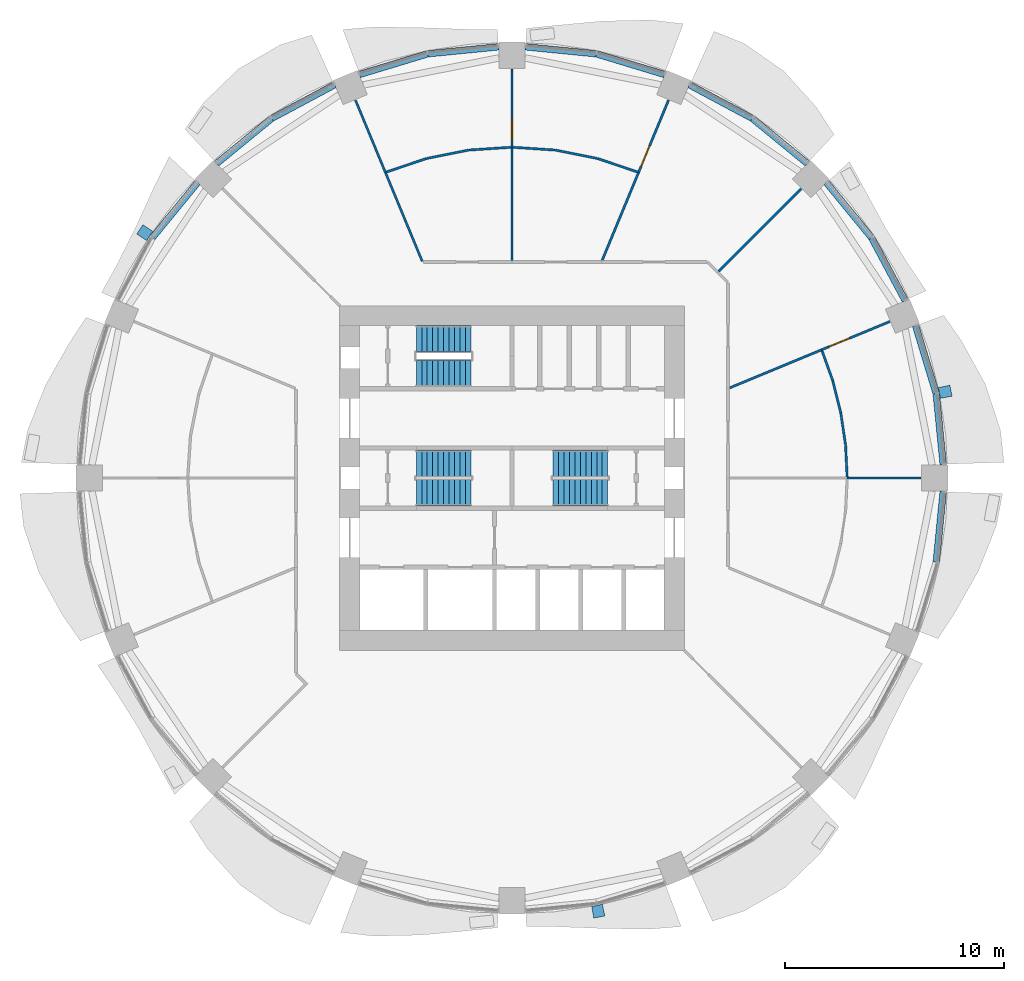
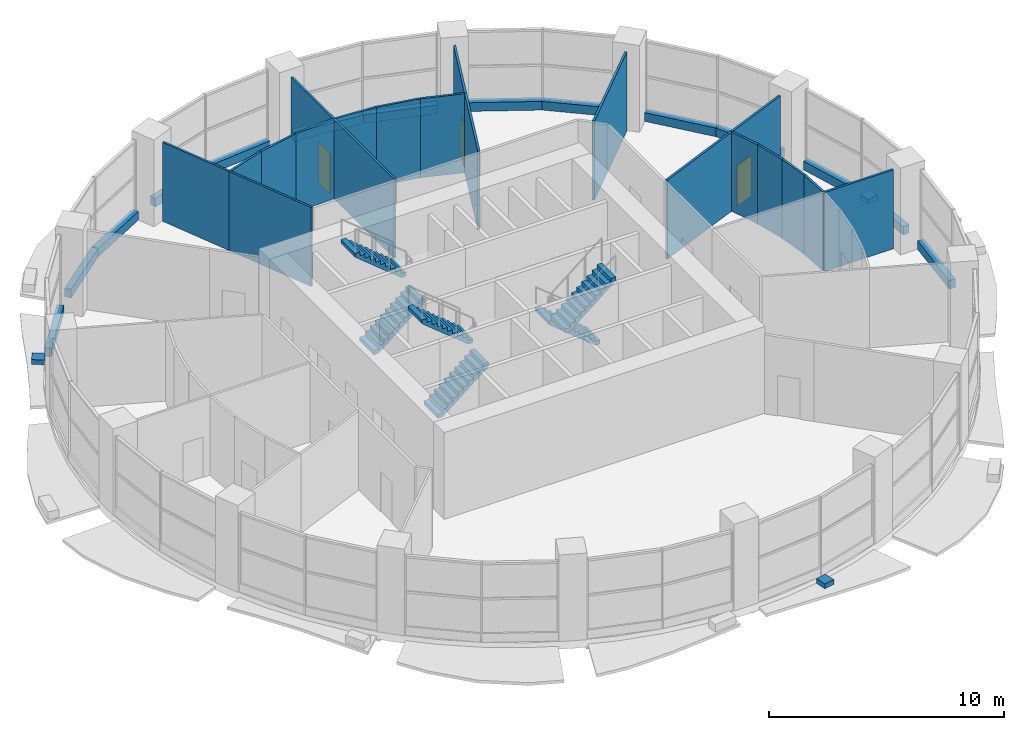
# One storey, part 10 of 14: 34 walls, 6 stair flights, 3 discrete accessories, 3 doors, 3 openings, 3 elements without a shape of their own.
"""IFC4 building model written with IfcOpenShell, lengths in metres."""

from ifc_helpers import new_model, si_unit, direction, frame, frame_2d, origin, place, context, subcontext, project, spatial, polyline, rectangle, outline, extrude, material, layer, layer_set, type_object, element, fill, aggregate, save


model = new_model("IFC4")

# Units and contexts
model_context = context("Model", 3, precision=1e-05, world=origin(), true_north=direction((0.0, 1.0)))
body_context = subcontext(model_context, "Body", "Model", "MODEL_VIEW")
ifc_project = project(units=[si_unit("LENGTHUNIT", "METRE"), si_unit("AREAUNIT", "SQUARE_METRE"), si_unit("VOLUMEUNIT", "CUBIC_METRE"), si_unit("PLANEANGLEUNIT", "RADIAN"), si_unit("MASSUNIT", "GRAM", prefix="KILO")], contexts=[model_context])

# Site, building, storey
site_placement = place(None, origin())
site = spatial("IfcSite", under=ifc_project, at=site_placement, CompositionType="ELEMENT")
building_placement = place(site_placement, origin())
building = spatial("IfcBuilding", under=site, at=building_placement, Name="Polderwave Tower", CompositionType="ELEMENT")
storey_placement = place(building_placement, frame((0.0, 0.0, 9.89990234375)))
storey = spatial("IfcBuildingStorey", under=building, at=storey_placement, Name="L02", CompositionType="ELEMENT", Elevation=9.89990234375)

# Walls
ifc_material_1 = material(Name="Concrete C50/60 (board-marked)", Category="concrete")
ifc_layer_1 = layer(ifc_material_1, 0.300048828125)
ifc_layer_set_1 = layer_set([ifc_layer_1], Name="Concrete spandrel upstand C50/60")
wall_type_1 = type_object("IfcWallType", Name="Concrete spandrel upstand C50/60", PredefinedType="SOLIDWALL", material=ifc_layer_set_1)
wall_1_placement = place(storey_placement, frame((19.70947265625, 0.61279296875, 0.0), z_axis=(0.0, 0.0, 1.0), x_axis=(-0.097961566391, 0.995190198661, 0.0)))
element("IfcWall", 1, at=wall_1_placement, inside=storey, type_object=wall_type_1, Name="Spandrel L02 1a", PredefinedType="SOLIDWALL", context=body_context, shape_type="SweptSolid", body=[
    extrude(rectangle(XDim=3.244873046875, YDim=0.300048828125, at=frame_2d((1.62255859375, 0.0))), origin(), (0.0, 0.0, 1.0), 0.4501953125),
])
wall_2_placement = place(storey_placement, frame((19.385498046875, 3.871337890625, 0.0), z_axis=(0.0, 0.0, 1.0), x_axis=(-0.290418848098, 0.95689962518, 0.0)))
element("IfcWall", 2, at=wall_2_placement, inside=storey, type_object=wall_type_1, Name="Spandrel L02 1b", PredefinedType="SOLIDWALL", context=body_context, shape_type="SweptSolid", body=[
    extrude(rectangle(XDim=3.244140625, YDim=0.300048828125, at=frame_2d((1.6220703125, 0.0))), origin(), (0.0, 0.0, 1.0), 0.4501953125),
])
wall_3_placement = place(storey_placement, frame((17.973876953125, 8.108154296875, 0.0), z_axis=(0.0, 0.0, 1.0), x_axis=(-0.471220846392, 0.882015257196, 0.0)))
element("IfcWall", 3, at=wall_3_placement, inside=storey, type_object=wall_type_1, Name="Spandrel L02 2a", PredefinedType="SOLIDWALL", context=body_context, shape_type="SweptSolid", body=[
    extrude(rectangle(XDim=3.244384765625, YDim=0.300048828125, at=frame_2d((1.6220703125, 0.0))), origin(), (0.0, 0.0, 1.0), 0.4501953125),
])
for number, where, z_axis, x_axis, name in (
    (4, (16.428466796875, 10.99462890625, 0.0), (0.0, 0.0, 1.0), (-0.634200152071, 0.773168912407, 0.0), "Spandrel L02 2b"),
    (5, (13.50341796875, 14.37060546875, 0.0), (0.0, 0.0, 1.0), (-0.773168912407, 0.634200152071, 0.0), "Spandrel L02 3a"),
):
    element("IfcWall", number, at=place(storey_placement, frame(where, z_axis=z_axis, x_axis=x_axis)), inside=storey, type_object=wall_type_1, Name=name, PredefinedType="SOLIDWALL", context=body_context, shape_type="SweptSolid", body=[
        extrude(rectangle(XDim=3.244873046875, YDim=0.300048828125, at=frame_2d((1.62255859375, 0.0))), origin(), (0.0, 0.0, 1.0), 0.4501953125),
    ])
wall_4_placement = place(storey_placement, frame((10.9697265625, 16.445068359375, 0.0), z_axis=(0.0, 0.0, 1.0), x_axis=(-0.882015257196, 0.471220846392, 0.0)))
element("IfcWall", 6, at=wall_4_placement, inside=storey, type_object=wall_type_1, Name="Spandrel L02 3b", PredefinedType="SOLIDWALL", context=body_context, shape_type="SweptSolid", body=[
    extrude(rectangle(XDim=3.244384765625, YDim=0.300048828125, at=frame_2d((1.6220703125, 0.0))), origin(), (0.0, 0.0, 1.0), 0.4501953125),
])
wall_5_placement = place(storey_placement, frame((6.9755859375, 18.443359375, 0.0), z_axis=(0.0, 0.0, 1.0), x_axis=(-0.95689962518, 0.290418848098, 0.0)))
element("IfcWall", 7, at=wall_5_placement, inside=storey, type_object=wall_type_1, Name="Spandrel L02 4a", PredefinedType="SOLIDWALL", context=body_context, shape_type="SweptSolid", body=[
    extrude(rectangle(XDim=3.244140625, YDim=0.300048828125, at=frame_2d((1.6220703125, 0.0))), origin(), (0.0, 0.0, 1.0), 0.4501953125),
])
for number, where, z_axis, x_axis, name in (
    (8, (3.842041015625, 19.3916015625, 0.0), (0.0, 0.0, 1.0), (-0.995190198661, 0.097961566391, 0.0), "Spandrel L02 4b"),
    (9, (-0.61279296875, 19.70947265625, 0.0), (0.0, 0.0, 1.0), (-0.995190198661, -0.097961566391, 0.0), "Spandrel L02 5a"),
):
    element("IfcWall", number, at=place(storey_placement, frame(where, z_axis=z_axis, x_axis=x_axis)), inside=storey, type_object=wall_type_1, Name=name, PredefinedType="SOLIDWALL", context=body_context, shape_type="SweptSolid", body=[
        extrude(rectangle(XDim=3.244873046875, YDim=0.300048828125, at=frame_2d((1.62255859375, 0.0))), origin(), (0.0, 0.0, 1.0), 0.4501953125),
    ])
wall_6_placement = place(storey_placement, frame((-3.871337890625, 19.385498046875, 0.0), z_axis=(0.0, 0.0, 1.0), x_axis=(-0.95689962518, -0.290418848098, 0.0)))
element("IfcWall", 10, at=wall_6_placement, inside=storey, type_object=wall_type_1, Name="Spandrel L02 5b", PredefinedType="SOLIDWALL", context=body_context, shape_type="SweptSolid", body=[
    extrude(rectangle(XDim=3.244140625, YDim=0.300048828125, at=frame_2d((1.6220703125, 0.0))), origin(), (0.0, 0.0, 1.0), 0.4501953125),
])
wall_7_placement = place(storey_placement, frame((-8.108154296875, 17.973876953125, 0.0), z_axis=(0.0, 0.0, 1.0), x_axis=(-0.882015257196, -0.471220846392, 0.0)))
element("IfcWall", 11, at=wall_7_placement, inside=storey, type_object=wall_type_1, Name="Spandrel L02 6a", PredefinedType="SOLIDWALL", context=body_context, shape_type="SweptSolid", body=[
    extrude(rectangle(XDim=3.244384765625, YDim=0.300048828125, at=frame_2d((1.6220703125, 0.0))), origin(), (0.0, 0.0, 1.0), 0.4501953125),
])
for number, where, z_axis, x_axis, name in (
    (12, (-10.99462890625, 16.428466796875, 0.0), (0.0, 0.0, 1.0), (-0.773168912407, -0.634200152071, 0.0), "Spandrel L02 6b"),
    (13, (-14.37060546875, 13.50341796875, 0.0), (0.0, 0.0, 1.0), (-0.634200152071, -0.773168912407, 0.0), "Spandrel L02 7a"),
    (14, (19.3916015625, -3.842041015625, 0.0), (0.0, 0.0, 1.0), (0.097961566391, 0.995190198661, 0.0), "Spandrel L02 16b"),
):
    element("IfcWall", number, at=place(storey_placement, frame(where, z_axis=z_axis, x_axis=x_axis)), inside=storey, type_object=wall_type_1, Name=name, PredefinedType="SOLIDWALL", context=body_context, shape_type="SweptSolid", body=[
        extrude(rectangle(XDim=3.244873046875, YDim=0.300048828125, at=frame_2d((1.62255859375, 0.0))), origin(), (0.0, 0.0, 1.0), 0.4501953125),
    ])
ifc_material_2 = material(Name="Plasterboard on steel studs", Category="steel")
ifc_layer_2 = layer(ifc_material_2, 0.10009765625)
ifc_layer_set_2 = layer_set([ifc_layer_2], Name="Partition 100 mm plasterboard on steel studs")
wall_type_2 = type_object("IfcWallType", Name="Partition 100 mm plasterboard on steel studs", PredefinedType="PARTITIONING", material=ifc_layer_set_2)
wall_8_placement = place(storey_placement, frame((-4.102783203125, 9.90478515625, 0.0), z_axis=(0.0, 0.0, 1.0), x_axis=(-0.38266385981, 0.923887639486, 0.0)))
element("IfcWall", 15, at=wall_8_placement, inside=storey, type_object=wall_type_2, Name="IN-L02-W034", PredefinedType="PARTITIONING", context=body_context, shape_type="SweptSolid", body=[
    extrude(rectangle(XDim=4.39892578125, YDim=0.10009765625, at=frame_2d((2.199462890625, 0.0))), origin(), (0.0, 0.0, 1.0), 4.10009765625),
])
wall_9_placement = place(storey_placement, frame((-5.7861328125, 13.968994140625, 0.0), z_axis=(0.0, 0.0, 1.0), x_axis=(-0.382681959822, 0.923880142457, 0.0)))
element("IfcWall", 16, at=wall_9_placement, inside=storey, type_object=wall_type_2, Name="IN-L02-W035", PredefinedType="PARTITIONING", context=body_context, shape_type="SweptSolid", body=[
    extrude(rectangle(XDim=3.570068359375, YDim=0.10009765625, at=frame_2d((1.78515625, 0.0))), origin(), (0.0, 0.0, 1.0), 4.10009765625),
])
ifc_material_3 = material(Name="Moisture-resistant board on steel studs, tiled", Category="steel")
ifc_layer_3 = layer(ifc_material_3, 0.10498046875)
ifc_layer_set_3 = layer_set([ifc_layer_3], Name="Partition 105 mm wet room board and tile")
wall_type_3 = type_object("IfcWallType", Name="Partition 105 mm wet room board and tile", PredefinedType="PARTITIONING", material=ifc_layer_set_3)
wall_10_placement = place(storey_placement, frame((14.17236328125, 5.810791015625, 0.0), z_axis=(0.0, 0.0, 1.0), x_axis=(0.336924752759, -0.94153157726, 0.0)))
element("IfcWall", 17, at=wall_10_placement, inside=storey, type_object=wall_type_3, Name="IN-L02-W015", PredefinedType="PARTITIONING", context=body_context, shape_type="SweptSolid", body=[
    extrude(rectangle(XDim=1.445556640625, YDim=0.10498046875, at=frame_2d((0.72265625, 0.0))), origin(), (0.0, 0.0, 1.0), 4.10009765625),
])
for number, where, z_axis, x_axis, name in (
    (18, (14.660888671875, 4.444580078125, 0.0), (0.0, 0.0, 1.0), (0.242957353155, -0.970036970712, 0.0), "IN-L02-W016"),
    (19, (15.02587890625, 2.986083984375, 0.0), (0.0, 0.0, 1.0), (0.146826232791, -0.98916230082, 0.0), "IN-L02-W017"),
):
    element("IfcWall", number, at=place(storey_placement, frame(where, z_axis=z_axis, x_axis=x_axis)), inside=storey, type_object=wall_type_3, Name=name, PredefinedType="PARTITIONING", context=body_context, shape_type="SweptSolid", body=[
        extrude(rectangle(XDim=1.498291015625, YDim=0.10498046875, at=frame_2d((0.7490234375, 0.0))), origin(), (0.0, 0.0, 1.0), 4.10009765625),
    ])
wall_11_placement = place(storey_placement, frame((15.246337890625, 1.4990234375, 0.0), z_axis=(0.0, 0.0, 1.0), x_axis=(0.049145816664, -0.998791614254, 0.0)))
element("IfcWall", 20, at=wall_11_placement, inside=storey, type_object=wall_type_3, Name="IN-L02-W018", PredefinedType="PARTITIONING", context=body_context, shape_type="SweptSolid", body=[
    extrude(rectangle(XDim=1.445556640625, YDim=0.10498046875, at=frame_2d((0.72265625, 0.0))), origin(), (0.0, 0.0, 1.0), 4.10009765625),
])
wall_12_placement = place(storey_placement, frame((9.95654296875, 4.1240234375, 0.0), z_axis=(0.0, 0.0, 1.0), x_axis=(0.92386356406, 0.382721981342, 0.0)))
element("IfcWall", 21, at=wall_12_placement, inside=storey, type_object=wall_type_3, Name="IN-L02-W019", PredefinedType="PARTITIONING", context=body_context, shape_type="SweptSolid", body=[
    extrude(rectangle(XDim=4.543212890625, YDim=0.10498046875, at=frame_2d((2.271484375, 0.0))), origin(), (0.0, 0.0, 1.0), 4.10009765625),
])

# Wall, opening, door
wall_13_placement = place(storey_placement, frame((17.267333984375, 7.15234375, 0.0), z_axis=(0.0, 0.0, 1.0), x_axis=(-0.923891456562, -0.382654643892, 0.0)))
wall_13 = element("IfcWall", 22, at=wall_13_placement, inside=storey, type_object=wall_type_3, Name="IN-L02-W021", PredefinedType="PARTITIONING", context=body_context, shape_type="SweptSolid", body=[
    extrude(rectangle(XDim=3.3701171875, YDim=0.10498046875, at=frame_2d((1.68505859375, 0.0))), origin(), (0.0, 0.0, 1.0), 4.10009765625),
])
opening_1_placement = place(wall_13_placement, frame((2.0, 0.0, 0.0)))
opening_1 = element("IfcOpeningElement", 23, at=opening_1_placement, cuts=wall_13, Name="Opening L02-D61", PredefinedType="OPENING", context=body_context, shape_type="SweptSolid", body=[
    extrude(rectangle(XDim=1.0, YDim=2.10009765625, at=frame_2d((0.5, 1.050048828125))), frame((0.0, 0.0625, 0.0), z_axis=(0.0, -1.0, 0.0), x_axis=(1.0, 0.0, 0.0)), (0.0, 0.0, 1.0), 0.125),
])
ifc_material_4 = material(Name="Timber veneer door leaf", Category="wood")
door_type = type_object("IfcDoorType", Name="Single door 1000 x 2100", OperationType="NOTDEFINED", PredefinedType="DOOR", material=ifc_material_4)
door_1_placement = place(opening_1_placement, origin())
door_1 = element("IfcDoor", 24, at=door_1_placement, inside=storey, type_object=door_type, Name="Door L02-D61", OperationType="SINGLE_SWING_RIGHT", OverallHeight=2.10009765625, OverallWidth=1.0, PredefinedType="DOOR", context=body_context, shape_type="SweptSolid", body=[
    extrude(rectangle(XDim=1.0, YDim=2.10009765625, at=frame_2d((0.5, 1.050048828125))), frame((0.0, 0.02490234375, 0.0), z_axis=(0.0, -1.0, 0.0), x_axis=(1.0, 0.0, 0.0)), (0.0, 0.0, 1.0), 0.050048828125),
])
fill(opening_1, door_1)

# Walls
wall_14_placement = place(storey_placement, frame((18.68994140625, 0.0, 0.0), z_axis=(0.0, 0.0, 1.0), x_axis=(-1.0, 0.0, 0.0)))
element("IfcWall", 25, at=wall_14_placement, inside=storey, type_object=wall_type_3, Name="IN-L02-W022", PredefinedType="PARTITIONING", context=body_context, shape_type="SweptSolid", body=[
    extrude(rectangle(XDim=3.369873046875, YDim=0.10498046875, at=frame_2d((1.68505859375, 0.0))), origin(), (0.0, 0.0, 1.0), 4.10009765625),
])
wall_15_placement = place(storey_placement, frame((13.2158203125, 13.2158203125, 0.0), z_axis=(0.0, 0.0, 1.0), x_axis=(-0.707106781187, -0.707106781187, 0.0)))
element("IfcWall", 26, at=wall_15_placement, inside=storey, type_object=wall_type_3, Name="IN-L02-W023", PredefinedType="PARTITIONING", context=body_context, shape_type="SweptSolid", body=[
    extrude(rectangle(XDim=5.327392578125, YDim=0.10498046875, at=frame_2d((2.66357421875, 0.0))), origin(), (0.0, 0.0, 1.0), 4.10009765625),
])
wall_16_placement = place(storey_placement, frame((4.1240234375, 9.95654296875, 0.0), z_axis=(0.0, 0.0, 1.0), x_axis=(0.382702629741, 0.923871580464, 0.0)))
element("IfcWall", 27, at=wall_16_placement, inside=storey, type_object=wall_type_3, Name="IN-L02-W024", PredefinedType="PARTITIONING", context=body_context, shape_type="SweptSolid", body=[
    extrude(rectangle(XDim=4.343017578125, YDim=0.10498046875, at=frame_2d((2.17138671875, 0.0))), origin(), (0.0, 0.0, 1.0), 4.10009765625),
])

# Wall, opening, door
wall_17_placement = place(storey_placement, frame((5.7861328125, 13.968994140625, 0.0), z_axis=(0.0, 0.0, 1.0), x_axis=(0.382681959822, 0.923880142457, 0.0)))
wall_17 = element("IfcWall", 28, at=wall_17_placement, inside=storey, type_object=wall_type_3, Name="IN-L02-W025", PredefinedType="PARTITIONING", context=body_context, shape_type="SweptSolid", body=[
    extrude(rectangle(XDim=3.570068359375, YDim=0.10498046875, at=frame_2d((1.78515625, 0.0))), origin(), (0.0, 0.0, 1.0), 4.10009765625),
])
opening_2_placement = place(wall_17_placement, frame((0.300048828125, 0.0, 0.0)))
opening_2 = element("IfcOpeningElement", 29, at=opening_2_placement, cuts=wall_17, Name="Opening L02-D62", PredefinedType="OPENING", context=body_context, shape_type="SweptSolid", body=[
    extrude(rectangle(XDim=1.0, YDim=2.10009765625, at=frame_2d((0.5, 1.050048828125))), frame((0.0, 0.0625, 0.0), z_axis=(0.0, -1.0, 0.0), x_axis=(1.0, 0.0, 0.0)), (0.0, 0.0, 1.0), 0.125),
])
door_2_placement = place(opening_2_placement, origin())
door_2 = element("IfcDoor", 30, at=door_2_placement, inside=storey, type_object=door_type, Name="Door L02-D62", OperationType="SINGLE_SWING_LEFT", OverallHeight=2.10009765625, OverallWidth=1.0, PredefinedType="DOOR", context=body_context, shape_type="SweptSolid", body=[
    extrude(rectangle(XDim=1.0, YDim=2.10009765625, at=frame_2d((0.5, 1.050048828125))), frame((0.0, 0.02490234375, 0.0), z_axis=(0.0, -1.0, 0.0), x_axis=(1.0, 0.0, 0.0)), (0.0, 0.0, 1.0), 0.050048828125),
])
fill(opening_2, door_2)

# Walls
wall_18_placement = place(storey_placement, frame((0.055908203125, 15.1162109375, 0.0), z_axis=(0.0, 0.0, 1.0), x_axis=(0.997858311014, -0.06541246931, 0.0)))
element("IfcWall", 31, at=wall_18_placement, inside=storey, type_object=wall_type_3, Name="IN-L02-W026", PredefinedType="PARTITIONING", context=body_context, shape_type="SweptSolid", body=[
    extrude(rectangle(XDim=1.91845703125, YDim=0.10498046875, at=frame_2d((0.959228515625, 0.0))), origin(), (0.0, 0.0, 1.0), 4.10009765625),
])
wall_19_placement = place(storey_placement, frame((1.97705078125, 14.989990234375, 0.0), z_axis=(0.0, 0.0, 1.0), x_axis=(0.980780283586, -0.195115441032, 0.0)))
element("IfcWall", 32, at=wall_19_placement, inside=storey, type_object=wall_type_3, Name="IN-L02-W027", PredefinedType="PARTITIONING", context=body_context, shape_type="SweptSolid", body=[
    extrude(rectangle(XDim=1.970703125, YDim=0.10498046875, at=frame_2d((0.9853515625, 0.0))), origin(), (0.0, 0.0, 1.0), 4.10009765625),
])
wall_20_placement = place(storey_placement, frame((3.91650390625, 14.603759765625, 0.0), z_axis=(0.0, 0.0, 1.0), x_axis=(0.946925447911, -0.321453256474, 0.0)))
element("IfcWall", 33, at=wall_20_placement, inside=storey, type_object=wall_type_3, Name="IN-L02-W028", PredefinedType="PARTITIONING", context=body_context, shape_type="SweptSolid", body=[
    extrude(rectangle(XDim=1.91845703125, YDim=0.10498046875, at=frame_2d((0.959228515625, 0.0))), origin(), (0.0, 0.0, 1.0), 4.10009765625),
])
wall_21_placement = place(storey_placement, frame((0.0, 9.9365234375, 0.0), z_axis=(0.0, 0.0, 1.0), x_axis=(0.0, 1.0, 0.0)))
element("IfcWall", 34, at=wall_21_placement, inside=storey, type_object=wall_type_3, Name="IN-L02-W029", PredefinedType="PARTITIONING", context=body_context, shape_type="SweptSolid", body=[
    extrude(rectangle(XDim=5.18359375, YDim=0.10498046875, at=frame_2d((2.591796875, 0.0))), origin(), (0.0, 0.0, 1.0), 4.10009765625),
])

# Wall, opening, door
wall_22_placement = place(storey_placement, frame((0.0, 15.1201171875, 0.0), z_axis=(0.0, 0.0, 1.0), x_axis=(0.0, 1.0, 0.0)))
wall_22 = element("IfcWall", 35, at=wall_22_placement, inside=storey, type_object=wall_type_3, Name="IN-L02-W030", PredefinedType="PARTITIONING", context=body_context, shape_type="SweptSolid", body=[
    extrude(rectangle(XDim=3.56982421875, YDim=0.10498046875, at=frame_2d((1.784912109375, 0.0))), origin(), (0.0, 0.0, 1.0), 4.10009765625),
])
opening_3_placement = place(wall_22_placement, frame((0.300048828125, 0.0, 0.0)))
opening_3 = element("IfcOpeningElement", 36, at=opening_3_placement, cuts=wall_22, Name="Opening L02-D63", PredefinedType="OPENING", context=body_context, shape_type="SweptSolid", body=[
    extrude(rectangle(XDim=1.0, YDim=2.10009765625, at=frame_2d((0.5, 1.050048828125))), frame((0.0, 0.0625, 0.0), z_axis=(0.0, -1.0, 0.0), x_axis=(1.0, 0.0, 0.0)), (0.0, 0.0, 1.0), 0.125),
])
door_3_placement = place(opening_3_placement, origin())
door_3 = element("IfcDoor", 37, at=door_3_placement, inside=storey, type_object=door_type, Name="Door L02-D63", OperationType="SINGLE_SWING_LEFT", OverallHeight=2.10009765625, OverallWidth=1.0, PredefinedType="DOOR", context=body_context, shape_type="SweptSolid", body=[
    extrude(rectangle(XDim=1.0, YDim=2.10009765625, at=frame_2d((0.5, 1.050048828125))), frame((0.0, 0.02490234375, 0.0), z_axis=(0.0, -1.0, 0.0), x_axis=(1.0, 0.0, 0.0)), (0.0, 0.0, 1.0), 0.050048828125),
])
fill(opening_3, door_3)

# Walls
wall_23_placement = place(storey_placement, frame((-5.735595703125, 13.986328125, 0.0), z_axis=(0.0, 0.0, 1.0), x_axis=(0.94694071598, 0.321408276837, 0.0)))
element("IfcWall", 38, at=wall_23_placement, inside=storey, type_object=wall_type_3, Name="IN-L02-W031", PredefinedType="PARTITIONING", context=body_context, shape_type="SweptSolid", body=[
    extrude(rectangle(XDim=1.9208984375, YDim=0.10498046875, at=frame_2d((0.96044921875, 0.0))), origin(), (0.0, 0.0, 1.0), 4.10009765625),
])
wall_24_placement = place(storey_placement, frame((-3.909912109375, 14.60546875, 0.0), z_axis=(0.0, 0.0, 1.0), x_axis=(0.980780283586, 0.195115441032, 0.0)))
element("IfcWall", 39, at=wall_24_placement, inside=storey, type_object=wall_type_3, Name="IN-L02-W032", PredefinedType="PARTITIONING", context=body_context, shape_type="SweptSolid", body=[
    extrude(rectangle(XDim=1.970703125, YDim=0.10498046875, at=frame_2d((0.9853515625, 0.0))), origin(), (0.0, 0.0, 1.0), 4.10009765625),
])
wall_25_placement = place(storey_placement, frame((-1.97021484375, 14.99072265625, 0.0), z_axis=(0.0, 0.0, 1.0), x_axis=(0.997858311014, 0.06541246931, 0.0)))
element("IfcWall", 40, at=wall_25_placement, inside=storey, type_object=wall_type_3, Name="IN-L02-W033", PredefinedType="PARTITIONING", context=body_context, shape_type="SweptSolid", body=[
    extrude(rectangle(XDim=1.91845703125, YDim=0.10498046875, at=frame_2d((0.959228515625, 0.0))), origin(), (0.0, 0.0, 1.0), 4.10009765625),
])

# Stair, stair flights
ifc_material_5 = material(Name="Concrete C40/50", Category="concrete")
stair_type = type_object("IfcStairType", Name="Exit stair 1200 x 22 risers", PredefinedType="HALF_TURN_STAIR", material=ifc_material_5)
stair_1_placement = place(storey_placement, origin())
stair_1 = element("IfcStair", 41, at=stair_1_placement, inside=storey, type_object=stair_type, Name="L02 Exit stair A", PredefinedType="HALF_TURN_STAIR")
stair_flight_type = type_object("IfcStairFlightType", Name="Stair flight 1200", PredefinedType="STRAIGHT", material=ifc_material_5)
stair_flight_1_placement = place(storey_placement, frame((-4.3740234375, -0.675048828125, 0.0), z_axis=(0.0, 0.0, 1.0), x_axis=(1.0, 0.0, 0.0)))
stair_flight_1 = element("IfcStairFlight", 42, at=stair_flight_1_placement, type_object=stair_flight_type, Name="ST-A flight 1", NumberOfRisers=11, NumberOfTreads=10, PredefinedType="STRAIGHT", RiserHeight=0.204545455, TreadLength=0.25, context=body_context, shape_type="SweptSolid", body=[
    extrude(outline(polyline([(0.0, 0.0), (0.0, 0.20458984375), (0.25, 0.20458984375), (0.25, 0.4091796875), (0.5, 0.4091796875), (0.5, 0.613525390625), (0.75, 0.613525390625), (0.75, 0.818115234375), (1.0, 0.818115234375), (1.0, 1.022705078125), (1.25, 1.022705078125), (1.25, 1.227294921875), (1.5, 1.227294921875), (1.5, 1.431884765625), (1.75, 1.431884765625), (1.75, 1.636474609375), (2.0, 1.636474609375), (2.0, 1.8408203125), (2.25, 1.8408203125), (2.25, 2.04541015625), (2.5, 2.04541015625), (2.5, 2.25), (2.5, 1.851806640625), (0.23681640625, 0.0), (0.0, 0.0)])), frame((0.0, 0.60009765625, 0.0), z_axis=(0.0, -1.0, 0.0), x_axis=(1.0, 0.0, 0.0)), (0.0, 0.0, 1.0), 1.199951171875),
])
stair_flight_2_placement = place(storey_placement, frame((-1.8740234375, 0.675048828125, 2.25), z_axis=(0.0, 0.0, 1.0), x_axis=(-1.0, 0.0, 0.0)))
stair_flight_2 = element("IfcStairFlight", 43, at=stair_flight_2_placement, type_object=stair_flight_type, Name="ST-A flight 2", NumberOfRisers=11, NumberOfTreads=10, PredefinedType="STRAIGHT", RiserHeight=0.204545455, TreadLength=0.25, context=body_context, shape_type="SweptSolid", body=[
    extrude(outline(polyline([(0.0, 0.0), (0.0, 0.20458984375), (0.25, 0.20458984375), (0.25, 0.4091796875), (0.5, 0.4091796875), (0.5, 0.613525390625), (0.75, 0.613525390625), (0.75, 0.818115234375), (1.0, 0.818115234375), (1.0, 1.022705078125), (1.25, 1.022705078125), (1.25, 1.227294921875), (1.5, 1.227294921875), (1.5, 1.431884765625), (1.75, 1.431884765625), (1.75, 1.636474609375), (2.0, 1.636474609375), (2.0, 1.8408203125), (2.25, 1.8408203125), (2.25, 2.04541015625), (2.5, 2.04541015625), (2.5, 2.25), (2.5, 1.851806640625), (0.23681640625, 0.0), (0.0, 0.0)])), frame((0.0, 0.60009765625, 0.0), z_axis=(0.0, -1.0, 0.0), x_axis=(1.0, 0.0, 0.0)), (0.0, 0.0, 1.0), 1.199951171875),
])
aggregate(stair_1, [stair_flight_1, stair_flight_2])

stair_2_placement = place(storey_placement, origin())
stair_2 = element("IfcStair", 44, at=stair_2_placement, inside=storey, type_object=stair_type, Name="L02 Exit stair B", PredefinedType="HALF_TURN_STAIR")
stair_flight_3_placement = place(storey_placement, frame((4.3740234375, 0.675048828125, 0.0), z_axis=(0.0, 0.0, 1.0), x_axis=(-1.0, 0.0, 0.0)))
stair_flight_3 = element("IfcStairFlight", 45, at=stair_flight_3_placement, type_object=stair_flight_type, Name="ST-B flight 1", NumberOfRisers=11, NumberOfTreads=10, PredefinedType="STRAIGHT", RiserHeight=0.204545455, TreadLength=0.25, context=body_context, shape_type="SweptSolid", body=[
    extrude(outline(polyline([(0.0, 0.0), (0.0, 0.20458984375), (0.25, 0.20458984375), (0.25, 0.4091796875), (0.5, 0.4091796875), (0.5, 0.613525390625), (0.75, 0.613525390625), (0.75, 0.818115234375), (1.0, 0.818115234375), (1.0, 1.022705078125), (1.25, 1.022705078125), (1.25, 1.227294921875), (1.5, 1.227294921875), (1.5, 1.431884765625), (1.75, 1.431884765625), (1.75, 1.636474609375), (2.0, 1.636474609375), (2.0, 1.8408203125), (2.25, 1.8408203125), (2.25, 2.04541015625), (2.5, 2.04541015625), (2.5, 2.25), (2.5, 1.851806640625), (0.23681640625, 0.0), (0.0, 0.0)])), frame((0.0, 0.60009765625, 0.0), z_axis=(0.0, -1.0, 0.0), x_axis=(1.0, 0.0, 0.0)), (0.0, 0.0, 1.0), 1.199951171875),
])
stair_flight_4_placement = place(storey_placement, frame((1.8740234375, -0.675048828125, 2.25), z_axis=(0.0, 0.0, 1.0), x_axis=(1.0, 0.0, 0.0)))
stair_flight_4 = element("IfcStairFlight", 46, at=stair_flight_4_placement, type_object=stair_flight_type, Name="ST-B flight 2", NumberOfRisers=11, NumberOfTreads=10, PredefinedType="STRAIGHT", RiserHeight=0.204545455, TreadLength=0.25, context=body_context, shape_type="SweptSolid", body=[
    extrude(outline(polyline([(0.0, 0.0), (0.0, 0.20458984375), (0.25, 0.20458984375), (0.25, 0.4091796875), (0.5, 0.4091796875), (0.5, 0.613525390625), (0.75, 0.613525390625), (0.75, 0.818115234375), (1.0, 0.818115234375), (1.0, 1.022705078125), (1.25, 1.022705078125), (1.25, 1.227294921875), (1.5, 1.227294921875), (1.5, 1.431884765625), (1.75, 1.431884765625), (1.75, 1.636474609375), (2.0, 1.636474609375), (2.0, 1.8408203125), (2.25, 1.8408203125), (2.25, 2.04541015625), (2.5, 2.04541015625), (2.5, 2.25), (2.5, 1.851806640625), (0.23681640625, 0.0), (0.0, 0.0)])), frame((0.0, 0.60009765625, 0.0), z_axis=(0.0, -1.0, 0.0), x_axis=(1.0, 0.0, 0.0)), (0.0, 0.0, 1.0), 1.199951171875),
])
aggregate(stair_2, [stair_flight_3, stair_flight_4])

stair_3_placement = place(storey_placement, origin())
stair_3 = element("IfcStair", 47, at=stair_3_placement, inside=storey, type_object=stair_type, Name="L02 Exit stair C", PredefinedType="HALF_TURN_STAIR")
stair_flight_5_placement = place(storey_placement, frame((-4.3740234375, 4.77392578125, 0.0), z_axis=(0.0, 0.0, 1.0), x_axis=(1.0, 0.0, 0.0)))
stair_flight_5 = element("IfcStairFlight", 48, at=stair_flight_5_placement, type_object=stair_flight_type, Name="ST-C flight 1", NumberOfRisers=11, NumberOfTreads=10, PredefinedType="STRAIGHT", RiserHeight=0.204545455, TreadLength=0.25, context=body_context, shape_type="SweptSolid", body=[
    extrude(outline(polyline([(0.0, 0.0), (0.0, 0.20458984375), (0.25, 0.20458984375), (0.25, 0.4091796875), (0.5, 0.4091796875), (0.5, 0.613525390625), (0.75, 0.613525390625), (0.75, 0.818115234375), (1.0, 0.818115234375), (1.0, 1.022705078125), (1.25, 1.022705078125), (1.25, 1.227294921875), (1.5, 1.227294921875), (1.5, 1.431884765625), (1.75, 1.431884765625), (1.75, 1.636474609375), (2.0, 1.636474609375), (2.0, 1.8408203125), (2.25, 1.8408203125), (2.25, 2.04541015625), (2.5, 2.04541015625), (2.5, 2.25), (2.5, 1.851806640625), (0.23681640625, 0.0), (0.0, 0.0)])), frame((0.0, 0.60009765625, 0.0), z_axis=(0.0, -1.0, 0.0), x_axis=(1.0, 0.0, 0.0)), (0.0, 0.0, 1.0), 1.199951171875),
])
stair_flight_6_placement = place(storey_placement, frame((-1.8740234375, 6.3740234375, 2.25), z_axis=(0.0, 0.0, 1.0), x_axis=(-1.0, 0.0, 0.0)))
stair_flight_6 = element("IfcStairFlight", 49, at=stair_flight_6_placement, type_object=stair_flight_type, Name="ST-C flight 2", NumberOfRisers=11, NumberOfTreads=10, PredefinedType="STRAIGHT", RiserHeight=0.204545455, TreadLength=0.25, context=body_context, shape_type="SweptSolid", body=[
    extrude(outline(polyline([(0.0, 0.0), (0.0, 0.20458984375), (0.25, 0.20458984375), (0.25, 0.4091796875), (0.5, 0.4091796875), (0.5, 0.613525390625), (0.75, 0.613525390625), (0.75, 0.818115234375), (1.0, 0.818115234375), (1.0, 1.022705078125), (1.25, 1.022705078125), (1.25, 1.227294921875), (1.5, 1.227294921875), (1.5, 1.431884765625), (1.75, 1.431884765625), (1.75, 1.636474609375), (2.0, 1.636474609375), (2.0, 1.8408203125), (2.25, 1.8408203125), (2.25, 2.04541015625), (2.5, 2.04541015625), (2.5, 2.25), (2.5, 1.851806640625), (0.23681640625, 0.0), (0.0, 0.0)])), frame((0.0, 0.60009765625, 0.0), z_axis=(0.0, -1.0, 0.0), x_axis=(1.0, 0.0, 0.0)), (0.0, 0.0, 1.0), 1.199951171875),
])
aggregate(stair_3, [stair_flight_5, stair_flight_6])

# Discrete accessories
ifc_material_6 = material(Name="Steel S355", Category="steel")
discrete_accessory_type = type_object("IfcDiscreteAccessoryType", Name="Band bracket pad", PredefinedType="BRACKET", material=ifc_material_6)
discrete_accessory_1_placement = place(storey_placement, frame((0.0, 0.0, -0.25)))
element("IfcDiscreteAccessory", 50, at=discrete_accessory_1_placement, inside=storey, type_object=discrete_accessory_type, Name="Band bracket L02 1", PredefinedType="BRACKET", context=body_context, shape_type="SweptSolid", body=[
    extrude(outline(polyline([(19.573974609375, 3.638916015625), (19.537109375, 3.88623046875), (19.4765625, 4.128662109375), (20.014404296875, 4.242919921875), (20.11474609375, 3.739501953125), (19.573974609375, 3.638916015625)])), origin(), (0.0, 0.0, 1.0), 0.25),
])
discrete_accessory_2_placement = place(storey_placement, frame((0.0, 0.0, -0.25)))
element("IfcDiscreteAccessory", 51, at=discrete_accessory_2_placement, inside=storey, type_object=discrete_accessory_type, Name="Band bracket L02 7", PredefinedType="BRACKET", context=body_context, shape_type="SweptSolid", body=[
    extrude(outline(polyline([(-16.413818359375, 11.267822265625), (-16.56298828125, 11.06689453125), (-16.69140625, 10.8525390625), (-17.152587890625, 11.15234375), (-16.867431640625, 11.5791015625), (-16.413818359375, 11.267822265625)])), origin(), (0.0, 0.0, 1.0), 0.25),
])
discrete_accessory_3_placement = place(storey_placement, frame((0.0, 0.0, -0.25)))
element("IfcDiscreteAccessory", 52, at=discrete_accessory_3_placement, inside=storey, type_object=discrete_accessory_type, Name="Band bracket L02 13", PredefinedType="BRACKET", context=body_context, shape_type="SweptSolid", body=[
    extrude(outline(polyline([(3.638916015625, -19.573974609375), (3.88623046875, -19.537109375), (4.128662109375, -19.4765625), (4.242919921875, -20.014404296875), (3.739501953125, -20.11474609375), (3.638916015625, -19.573974609375)])), origin(), (0.0, 0.0, 1.0), 0.25),
])

save(model, "model.ifc")
